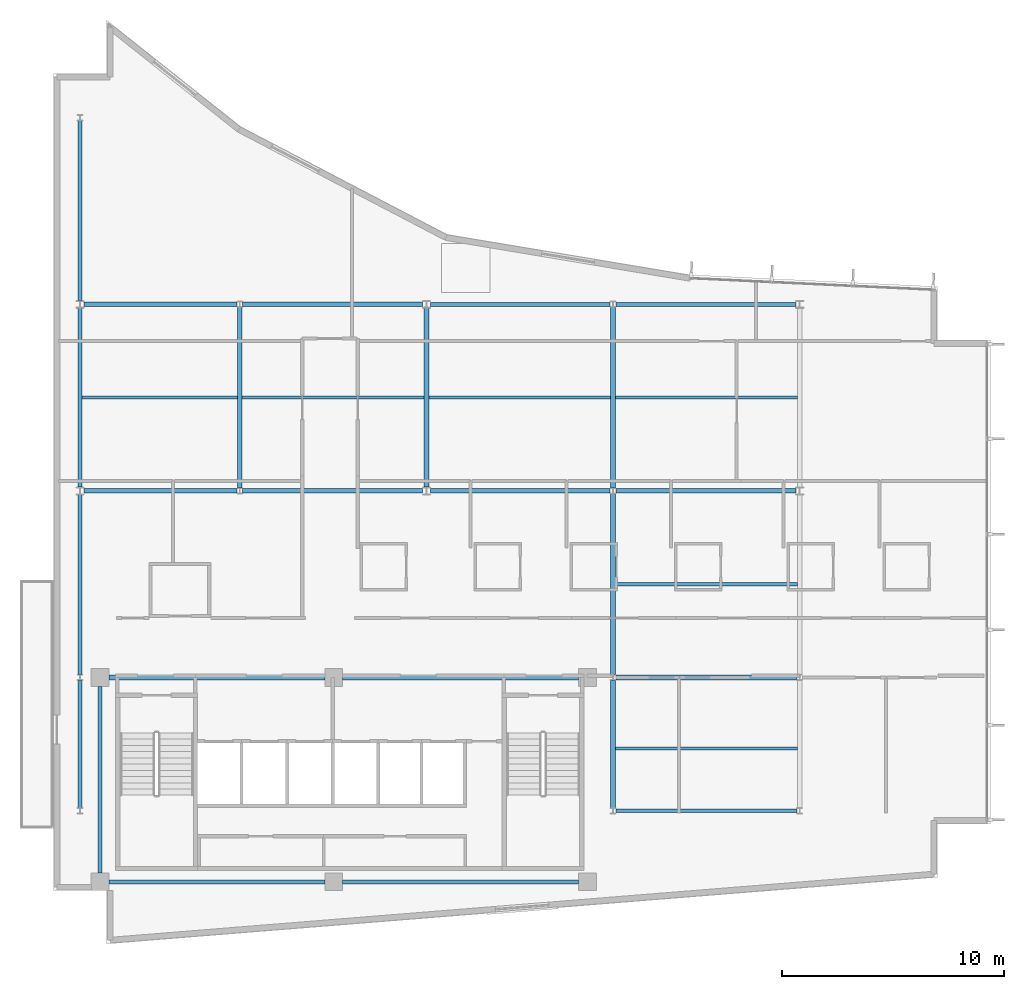
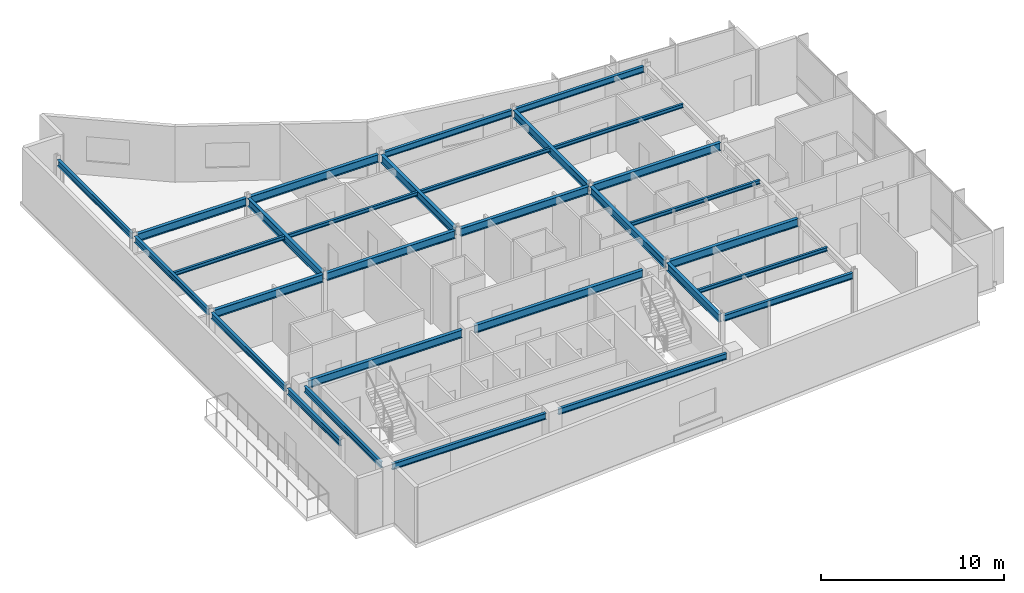
# One storey, part 5 of 16: 30 beams.
"""IFC4 building model written with IfcOpenShell, lengths in metres."""

from ifc_helpers import new_model, si_unit, direction, frame, origin, origin_2d, place, context, subcontext, project, spatial, i_section, extrude, material, material_profile, profile_set, type_object, element, save


model = new_model("IFC4")

# Units and contexts
model_context = context("Model", 3, precision=1e-05, world=origin(), true_north=direction((0.0, 1.0)))
body_context = subcontext(model_context, "Body", "Model", "MODEL_VIEW")
ifc_project = project(units=[si_unit("LENGTHUNIT", "METRE"), si_unit("AREAUNIT", "SQUARE_METRE"), si_unit("VOLUMEUNIT", "CUBIC_METRE"), si_unit("PLANEANGLEUNIT", "RADIAN"), si_unit("MASSUNIT", "GRAM", prefix="KILO")], contexts=[model_context])

# Site, building, storey
site_placement = place(None, origin())
site = spatial("IfcSite", under=ifc_project, at=site_placement, CompositionType="ELEMENT")
building_placement = place(site_placement, origin())
building = spatial("IfcBuilding", under=site, at=building_placement, Name="Varnakote Quay Hospital", CompositionType="ELEMENT")
storey_placement = place(building_placement, frame((0.0, 0.0, 260.5)))
storey = spatial("IfcBuildingStorey", under=building, at=storey_placement, Name="L64", CompositionType="ELEMENT", Elevation=260.5)

# Beams
ifc_material_1 = material(Name="Structural steel AS/NZS 3679.1 Grade 350 L0 (fy 340 MPa)", Category="steel")
ifc_material_profile_1 = material_profile(ifc_material_1, i_section(OverallWidth=0.208984375, OverallDepth=0.528076171875, WebThickness=0.009521484375, FlangeThickness=0.01318359375, FilletRadius=0.013916015625, at=origin_2d()), Name="530UB82.0")
ifc_profile_set_1 = profile_set([ifc_material_profile_1], Name="Structural steel AS/NZS 3679.1 Grade 350 L0 (fy 340 MPa)")
beam_type_1 = type_object("IfcBeamType", Name="BM-STL-530UB82-0", PredefinedType="BEAM", material=ifc_profile_set_1)
beam_1_placement = place(storey_placement, frame((2.5, 12.0, 3.446044921875), z_axis=(1.0, 0.0, 0.0), x_axis=(0.0, 1.0, 0.0)))
element("IfcBeam", 1, at=beam_1_placement, inside=storey, type_object=beam_type_1, Name="L64 Primary Floor Beam", PredefinedType="BEAM", context=body_context, shape_type="SweptSolid", body=[
    extrude(i_section(OverallWidth=0.208984375, OverallDepth=0.528076171875, WebThickness=0.009521484375, FlangeThickness=0.01318359375, FilletRadius=0.013916015625, at=origin_2d()), origin(), (0.0, 0.0, 1.0), 9.719970703125),
])
beam_2_placement = place(storey_placement, frame((13.02001953125, 12.0, 3.446044921875), z_axis=(1.0, 0.0, 0.0), x_axis=(0.0, 1.0, 0.0)))
element("IfcBeam", 2, at=beam_2_placement, inside=storey, type_object=beam_type_1, Name="L64 Primary Floor Beam", PredefinedType="BEAM", context=body_context, shape_type="SweptSolid", body=[
    extrude(i_section(OverallWidth=0.208984375, OverallDepth=0.528076171875, WebThickness=0.009521484375, FlangeThickness=0.01318359375, FilletRadius=0.013916015625, at=origin_2d()), origin(), (0.0, 0.0, 1.0), 10.6298828125),
])
beam_3_placement = place(storey_placement, frame((25.326904296875, 12.0, 3.446044921875), z_axis=(1.0, 0.0, 0.0), x_axis=(0.0, 1.0, 0.0)))
element("IfcBeam", 3, at=beam_3_placement, inside=storey, type_object=beam_type_1, Name="L64 Primary Floor Beam", PredefinedType="BEAM", context=body_context, shape_type="SweptSolid", body=[
    extrude(i_section(OverallWidth=0.208984375, OverallDepth=0.528076171875, WebThickness=0.009521484375, FlangeThickness=0.01318359375, FilletRadius=0.013916015625, at=origin_2d()), origin(), (0.0, 0.0, 1.0), 8.14599609375),
])
beam_4_placement = place(storey_placement, frame((1.375, 20.39990234375, 3.446044921875), z_axis=(1.0, 0.0, 0.0), x_axis=(0.0, 1.0, 0.0)))
element("IfcBeam", 4, at=beam_4_placement, inside=storey, type_object=beam_type_1, Name="L64 Primary Floor Beam", PredefinedType="BEAM", context=body_context, shape_type="SweptSolid", body=[
    extrude(i_section(OverallWidth=0.208984375, OverallDepth=0.528076171875, WebThickness=0.009521484375, FlangeThickness=0.01318359375, FilletRadius=0.013916015625, at=origin_2d()), origin(), (0.0, 0.0, 1.0), 6.89794921875),
])
for number, where, z_axis, x_axis, name in (
    (5, (8.527099609375, 20.39990234375, 3.446044921875), (1.0, 0.0, 0.0), (0.0, 1.0, 0.0), "L64 Primary Floor Beam"),
    (6, (16.97509765625, 20.39990234375, 3.446044921875), (1.0, 0.0, 0.0), (0.0, 1.0, 0.0), "L64 Primary Floor Beam"),
):
    element("IfcBeam", number, at=place(storey_placement, frame(where, z_axis=z_axis, x_axis=x_axis)), inside=storey, type_object=beam_type_1, Name=name, PredefinedType="BEAM", context=body_context, shape_type="SweptSolid", body=[
        extrude(i_section(OverallWidth=0.208984375, OverallDepth=0.528076171875, WebThickness=0.009521484375, FlangeThickness=0.01318359375, FilletRadius=0.013916015625, at=origin_2d()), origin(), (0.0, 0.0, 1.0), 8.097900390625),
    ])
beam_5_placement = place(storey_placement, frame((25.326904296875, 20.39990234375, 3.446044921875), z_axis=(1.0, 0.0, 0.0), x_axis=(0.0, 1.0, 0.0)))
element("IfcBeam", 7, at=beam_5_placement, inside=storey, type_object=beam_type_1, Name="L64 Primary Floor Beam", PredefinedType="BEAM", context=body_context, shape_type="SweptSolid", body=[
    extrude(i_section(OverallWidth=0.208984375, OverallDepth=0.528076171875, WebThickness=0.009521484375, FlangeThickness=0.01318359375, FilletRadius=0.013916015625, at=origin_2d()), origin(), (0.0, 0.0, 1.0), 8.09814453125),
])
beam_6_placement = place(storey_placement, frame((1.375, 28.800048828125, 3.446044921875), z_axis=(1.0, 0.0, 0.0), x_axis=(0.0, 1.0, 0.0)))
element("IfcBeam", 8, at=beam_6_placement, inside=storey, type_object=beam_type_1, Name="L64 Primary Floor Beam", PredefinedType="BEAM", context=body_context, shape_type="SweptSolid", body=[
    extrude(i_section(OverallWidth=0.208984375, OverallDepth=0.528076171875, WebThickness=0.009521484375, FlangeThickness=0.01318359375, FilletRadius=0.013916015625, at=origin_2d()), origin(), (0.0, 0.0, 1.0), 6.89794921875),
])
beam_7_placement = place(storey_placement, frame((8.527099609375, 28.800048828125, 3.446044921875), z_axis=(1.0, 0.0, 0.0), x_axis=(0.0, 1.0, 0.0)))
element("IfcBeam", 9, at=beam_7_placement, inside=storey, type_object=beam_type_1, Name="L64 Primary Floor Beam", PredefinedType="BEAM", context=body_context, shape_type="SweptSolid", body=[
    extrude(i_section(OverallWidth=0.208984375, OverallDepth=0.528076171875, WebThickness=0.009521484375, FlangeThickness=0.01318359375, FilletRadius=0.013916015625, at=origin_2d()), origin(), (0.0, 0.0, 1.0), 8.097900390625),
])
beam_8_placement = place(storey_placement, frame((8.39990234375, 20.527099609375, 3.446044921875), z_axis=(0.0, 1.0, 0.0), x_axis=(-1.0, 0.0, 0.0)))
element("IfcBeam", 10, at=beam_8_placement, inside=storey, type_object=beam_type_1, Name="L64 Primary Tie Beam", PredefinedType="BEAM", context=body_context, shape_type="SweptSolid", body=[
    extrude(i_section(OverallWidth=0.208984375, OverallDepth=0.528076171875, WebThickness=0.009521484375, FlangeThickness=0.01318359375, FilletRadius=0.013916015625, at=origin_2d()), origin(), (0.0, 0.0, 1.0), 8.14599609375),
])
beam_9_placement = place(storey_placement, frame((16.800048828125, 20.570068359375, 3.446044921875), z_axis=(0.0, 1.0, 0.0), x_axis=(-1.0, 0.0, 0.0)))
element("IfcBeam", 11, at=beam_9_placement, inside=storey, type_object=beam_type_1, Name="L64 Primary Tie Beam", PredefinedType="BEAM", context=body_context, shape_type="SweptSolid", body=[
    extrude(i_section(OverallWidth=0.208984375, OverallDepth=0.528076171875, WebThickness=0.009521484375, FlangeThickness=0.01318359375, FilletRadius=0.013916015625, at=origin_2d()), origin(), (0.0, 0.0, 1.0), 8.059814453125),
])
beam_10_placement = place(storey_placement, frame((25.199951171875, 6.126953125, 3.446044921875), z_axis=(0.0, 1.0, 0.0), x_axis=(-1.0, 0.0, 0.0)))
element("IfcBeam", 12, at=beam_10_placement, inside=storey, type_object=beam_type_1, Name="L64 Primary Tie Beam", PredefinedType="BEAM", context=body_context, shape_type="SweptSolid", body=[
    extrude(i_section(OverallWidth=0.208984375, OverallDepth=0.528076171875, WebThickness=0.009521484375, FlangeThickness=0.01318359375, FilletRadius=0.013916015625, at=origin_2d()), origin(), (0.0, 0.0, 1.0), 5.74609375),
])
for number, where, z_axis, x_axis, name in (
    (13, (25.199951171875, 12.126953125, 3.446044921875), (0.0, 1.0, 0.0), (-1.0, 0.0, 0.0), "L64 Primary Tie Beam"),
    (14, (25.199951171875, 20.527099609375, 3.446044921875), (0.0, 1.0, 0.0), (-1.0, 0.0, 0.0), "L64 Primary Tie Beam"),
):
    element("IfcBeam", number, at=place(storey_placement, frame(where, z_axis=z_axis, x_axis=x_axis)), inside=storey, type_object=beam_type_1, Name=name, PredefinedType="BEAM", context=body_context, shape_type="SweptSolid", body=[
        extrude(i_section(OverallWidth=0.208984375, OverallDepth=0.528076171875, WebThickness=0.009521484375, FlangeThickness=0.01318359375, FilletRadius=0.013916015625, at=origin_2d()), origin(), (0.0, 0.0, 1.0), 8.14599609375),
    ])
ifc_material_2 = material(Name="Structural steel AS/NZS 3679.1 Grade 350 L0 (fy 340 MPa)", Category="steel")
ifc_material_profile_2 = material_profile(ifc_material_2, i_section(OverallWidth=0.14599609375, OverallDepth=0.256103515625, WebThickness=0.00634765625, FlangeThickness=0.010986328125, FilletRadius=0.0087890625, at=origin_2d()), Name="250UB37.3")
ifc_profile_set_2 = profile_set([ifc_material_profile_2], Name="Structural steel AS/NZS 3679.1 Grade 350 L0 (fy 340 MPa)")
beam_type_2 = type_object("IfcBeamType", Name="JST-STL-250UB37-3", PredefinedType="JOIST", material=ifc_profile_set_2)
for number, where, z_axis, x_axis, name in (
    (15, (25.304443359375, 8.800048828125, 3.58203125), (1.0, 0.0, 0.0), (0.0, 1.0, 0.0), "L64 Composite Floor Joist"),
    (16, (25.304443359375, 16.199951171875, 3.58203125), (1.0, 0.0, 0.0), (0.0, 1.0, 0.0), "L64 Composite Floor Joist"),
):
    element("IfcBeam", number, at=place(storey_placement, frame(where, z_axis=z_axis, x_axis=x_axis)), inside=storey, type_object=beam_type_2, Name=name, PredefinedType="JOIST", context=body_context, shape_type="SweptSolid", body=[
        extrude(i_section(OverallWidth=0.14599609375, OverallDepth=0.256103515625, WebThickness=0.00634765625, FlangeThickness=0.010986328125, FilletRadius=0.0087890625, at=origin_2d()), origin(), (0.0, 0.0, 1.0), 8.191162109375),
    ])
beam_11_placement = place(storey_placement, frame((1.2890625, 24.60009765625, 3.58203125), z_axis=(1.0, 0.0, 0.0), x_axis=(0.0, 1.0, 0.0)))
element("IfcBeam", 17, at=beam_11_placement, inside=storey, type_object=beam_type_2, Name="L64 Composite Floor Joist", PredefinedType="JOIST", context=body_context, shape_type="SweptSolid", body=[
    extrude(i_section(OverallWidth=0.14599609375, OverallDepth=0.256103515625, WebThickness=0.00634765625, FlangeThickness=0.010986328125, FilletRadius=0.0087890625, at=origin_2d()), origin(), (0.0, 0.0, 1.0), 7.00634765625),
])
beam_12_placement = place(storey_placement, frame((8.50439453125, 24.60009765625, 3.58203125), z_axis=(1.0, 0.0, 0.0), x_axis=(0.0, 1.0, 0.0)))
element("IfcBeam", 18, at=beam_12_placement, inside=storey, type_object=beam_type_2, Name="L64 Composite Floor Joist", PredefinedType="JOIST", context=body_context, shape_type="SweptSolid", body=[
    extrude(i_section(OverallWidth=0.14599609375, OverallDepth=0.256103515625, WebThickness=0.00634765625, FlangeThickness=0.010986328125, FilletRadius=0.0087890625, at=origin_2d()), origin(), (0.0, 0.0, 1.0), 8.191162109375),
])
beam_13_placement = place(storey_placement, frame((16.904541015625, 24.60009765625, 3.58203125), z_axis=(1.0, 0.0, 0.0), x_axis=(0.0, 1.0, 0.0)))
element("IfcBeam", 19, at=beam_13_placement, inside=storey, type_object=beam_type_2, Name="L64 Composite Floor Joist", PredefinedType="JOIST", context=body_context, shape_type="SweptSolid", body=[
    extrude(i_section(OverallWidth=0.14599609375, OverallDepth=0.256103515625, WebThickness=0.00634765625, FlangeThickness=0.010986328125, FilletRadius=0.0087890625, at=origin_2d()), origin(), (0.0, 0.0, 1.0), 8.19091796875),
])
beam_14_placement = place(storey_placement, frame((25.304443359375, 24.60009765625, 3.58203125), z_axis=(1.0, 0.0, 0.0), x_axis=(0.0, 1.0, 0.0)))
element("IfcBeam", 20, at=beam_14_placement, inside=storey, type_object=beam_type_2, Name="L64 Composite Floor Joist", PredefinedType="JOIST", context=body_context, shape_type="SweptSolid", body=[
    extrude(i_section(OverallWidth=0.14599609375, OverallDepth=0.256103515625, WebThickness=0.00634765625, FlangeThickness=0.010986328125, FilletRadius=0.0087890625, at=origin_2d()), origin(), (0.0, 0.0, 1.0), 8.191162109375),
])
ifc_material_3 = material(Name="Structural steel AS/NZS 3679.1 Grade 350 L0 (fy 340 MPa)", Category="steel")
ifc_material_profile_3 = material_profile(ifc_material_3, i_section(OverallWidth=0.177978515625, OverallDepth=0.403076171875, WebThickness=0.007568359375, FlangeThickness=0.010986328125, FilletRadius=0.011474609375, at=origin_2d()), Name="410UB53.7")
ifc_profile_set_3 = profile_set([ifc_material_profile_3], Name="Structural steel AS/NZS 3679.1 Grade 350 L0 (fy 340 MPa)")
beam_type_3 = type_object("IfcBeamType", Name="SPN-STL-410UB53-7", PredefinedType="SPANDREL", material=ifc_profile_set_3)
beam_15_placement = place(storey_placement, frame((1.199951171875, 6.126953125, 3.508544921875), z_axis=(0.0, 1.0, 0.0), x_axis=(-1.0, 0.0, 0.0)))
element("IfcBeam", 21, at=beam_15_placement, inside=storey, type_object=beam_type_3, Name="L64 Perimeter Spandrel Beam", PredefinedType="SPANDREL", context=body_context, shape_type="SweptSolid", body=[
    extrude(i_section(OverallWidth=0.177978515625, OverallDepth=0.403076171875, WebThickness=0.007568359375, FlangeThickness=0.010986328125, FilletRadius=0.011474609375, at=origin_2d()), origin(), (0.0, 0.0, 1.0), 5.74609375),
])
beam_16_placement = place(storey_placement, frame((1.199951171875, 12.126953125, 3.508544921875), z_axis=(0.0, 1.0, 0.0), x_axis=(-1.0, 0.0, 0.0)))
element("IfcBeam", 22, at=beam_16_placement, inside=storey, type_object=beam_type_3, Name="L64 Perimeter Spandrel Beam", PredefinedType="SPANDREL", context=body_context, shape_type="SweptSolid", body=[
    extrude(i_section(OverallWidth=0.177978515625, OverallDepth=0.403076171875, WebThickness=0.007568359375, FlangeThickness=0.010986328125, FilletRadius=0.011474609375, at=origin_2d()), origin(), (0.0, 0.0, 1.0), 8.10302734375),
])
beam_17_placement = place(storey_placement, frame((1.199951171875, 20.570068359375, 3.508544921875), z_axis=(0.0, 1.0, 0.0), x_axis=(-1.0, 0.0, 0.0)))
element("IfcBeam", 23, at=beam_17_placement, inside=storey, type_object=beam_type_3, Name="L64 Perimeter Spandrel Beam", PredefinedType="SPANDREL", context=body_context, shape_type="SweptSolid", body=[
    extrude(i_section(OverallWidth=0.177978515625, OverallDepth=0.403076171875, WebThickness=0.007568359375, FlangeThickness=0.010986328125, FilletRadius=0.011474609375, at=origin_2d()), origin(), (0.0, 0.0, 1.0), 8.059814453125),
])
beam_18_placement = place(storey_placement, frame((1.199951171875, 28.969970703125, 3.508544921875), z_axis=(0.0, 1.0, 0.0), x_axis=(-1.0, 0.0, 0.0)))
element("IfcBeam", 24, at=beam_18_placement, inside=storey, type_object=beam_type_3, Name="L64 Perimeter Spandrel Beam", PredefinedType="SPANDREL", context=body_context, shape_type="SweptSolid", body=[
    extrude(i_section(OverallWidth=0.177978515625, OverallDepth=0.403076171875, WebThickness=0.007568359375, FlangeThickness=0.010986328125, FilletRadius=0.011474609375, at=origin_2d()), origin(), (0.0, 0.0, 1.0), 8.10302734375),
])
beam_19_placement = place(storey_placement, frame((2.10009765625, 3.199951171875, 3.508544921875), z_axis=(0.0, 1.0, 0.0), x_axis=(-1.0, 0.0, 0.0)))
element("IfcBeam", 25, at=beam_19_placement, inside=storey, type_object=beam_type_3, Name="L64 Perimeter Spandrel Beam", PredefinedType="SPANDREL", context=body_context, shape_type="SweptSolid", body=[
    extrude(i_section(OverallWidth=0.177978515625, OverallDepth=0.403076171875, WebThickness=0.007568359375, FlangeThickness=0.010986328125, FilletRadius=0.011474609375, at=origin_2d()), origin(), (0.0, 0.0, 1.0), 8.400146484375),
])
ifc_material_4 = material(Name="Structural steel AS/NZS 3679.1 Grade 350 L0 (fy 340 MPa)", Category="steel")
ifc_material_profile_4 = material_profile(ifc_material_4, i_section(OverallWidth=0.177978515625, OverallDepth=0.406005859375, WebThickness=0.0078125, FlangeThickness=0.0126953125, FilletRadius=0.011474609375, at=origin_2d()), Name="410UB59.7")
ifc_profile_set_4 = profile_set([ifc_material_profile_4], Name="Structural steel AS/NZS 3679.1 Grade 350 L0 (fy 340 MPa)")
beam_type_4 = type_object("IfcBeamType", Name="SPN-STL-410UB59-7", PredefinedType="SPANDREL", material=ifc_profile_set_4)
beam_20_placement = place(storey_placement, frame((2.5, 2.800048828125, 3.507080078125), z_axis=(1.0, 0.0, 0.0), x_axis=(0.0, 1.0, 0.0)))
element("IfcBeam", 26, at=beam_20_placement, inside=storey, type_object=beam_type_4, Name="L64 Perimeter Spandrel Beam", PredefinedType="SPANDREL", context=body_context, shape_type="SweptSolid", body=[
    extrude(i_section(OverallWidth=0.177978515625, OverallDepth=0.406005859375, WebThickness=0.0078125, FlangeThickness=0.0126953125, FilletRadius=0.011474609375, at=origin_2d()), origin(), (0.0, 0.0, 1.0), 9.719970703125),
])
beam_21_placement = place(storey_placement, frame((13.02001953125, 2.800048828125, 3.507080078125), z_axis=(1.0, 0.0, 0.0), x_axis=(0.0, 1.0, 0.0)))
element("IfcBeam", 27, at=beam_21_placement, inside=storey, type_object=beam_type_4, Name="L64 Perimeter Spandrel Beam", PredefinedType="SPANDREL", context=body_context, shape_type="SweptSolid", body=[
    extrude(i_section(OverallWidth=0.177978515625, OverallDepth=0.406005859375, WebThickness=0.0078125, FlangeThickness=0.0126953125, FilletRadius=0.011474609375, at=origin_2d()), origin(), (0.0, 0.0, 1.0), 10.6298828125),
])
beam_22_placement = place(storey_placement, frame((25.326904296875, 6.0, 3.507080078125), z_axis=(1.0, 0.0, 0.0), x_axis=(0.0, 1.0, 0.0)))
element("IfcBeam", 28, at=beam_22_placement, inside=storey, type_object=beam_type_4, Name="L64 Perimeter Spandrel Beam", PredefinedType="SPANDREL", context=body_context, shape_type="SweptSolid", body=[
    extrude(i_section(OverallWidth=0.177978515625, OverallDepth=0.406005859375, WebThickness=0.0078125, FlangeThickness=0.0126953125, FilletRadius=0.011474609375, at=origin_2d()), origin(), (0.0, 0.0, 1.0), 8.14599609375),
])
beam_23_placement = place(storey_placement, frame((16.97509765625, 28.800048828125, 3.507080078125), z_axis=(1.0, 0.0, 0.0), x_axis=(0.0, 1.0, 0.0)))
element("IfcBeam", 29, at=beam_23_placement, inside=storey, type_object=beam_type_4, Name="L64 Perimeter Spandrel Beam", PredefinedType="SPANDREL", context=body_context, shape_type="SweptSolid", body=[
    extrude(i_section(OverallWidth=0.177978515625, OverallDepth=0.406005859375, WebThickness=0.0078125, FlangeThickness=0.0126953125, FilletRadius=0.011474609375, at=origin_2d()), origin(), (0.0, 0.0, 1.0), 8.097900390625),
])
beam_24_placement = place(storey_placement, frame((25.326904296875, 28.800048828125, 3.507080078125), z_axis=(1.0, 0.0, 0.0), x_axis=(0.0, 1.0, 0.0)))
element("IfcBeam", 30, at=beam_24_placement, inside=storey, type_object=beam_type_4, Name="L64 Perimeter Spandrel Beam", PredefinedType="SPANDREL", context=body_context, shape_type="SweptSolid", body=[
    extrude(i_section(OverallWidth=0.177978515625, OverallDepth=0.406005859375, WebThickness=0.0078125, FlangeThickness=0.0126953125, FilletRadius=0.011474609375, at=origin_2d()), origin(), (0.0, 0.0, 1.0), 8.09814453125),
])

save(model, "model.ifc")
